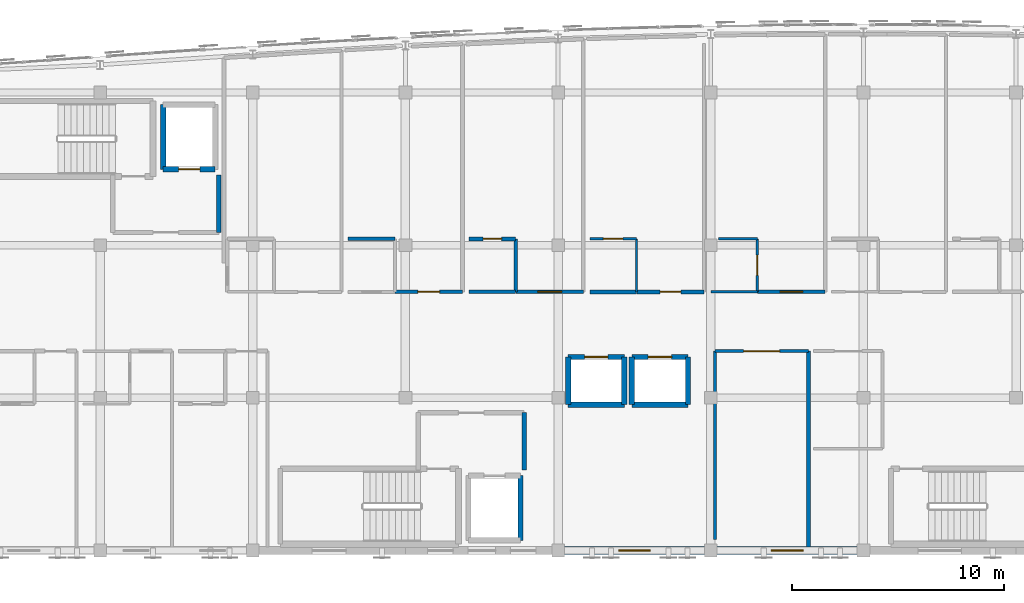
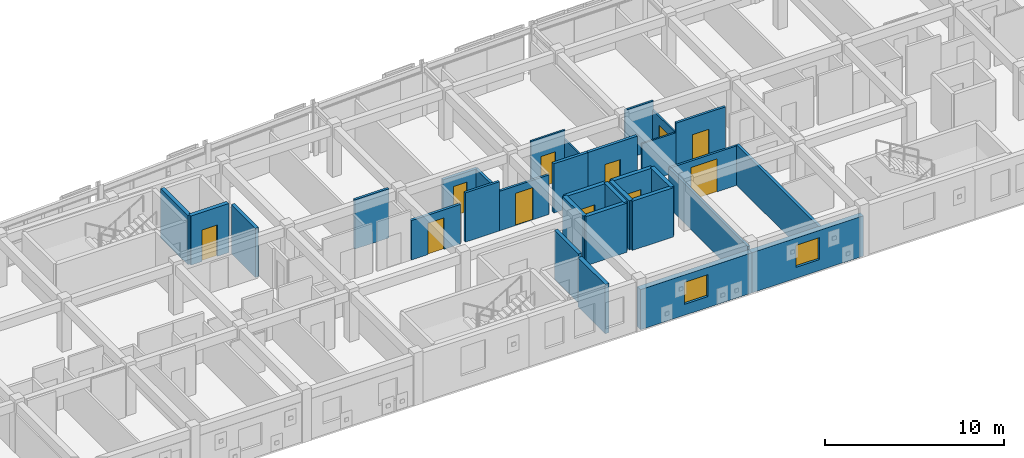
# One storey, part 41 of 51: 32 walls, 11 doors, 2 windows, 13 openings.
"""IFC4 building model written with IfcOpenShell, lengths in metres."""

from ifc_helpers import new_model, si_unit, direction, frame, frame_2d, origin, place, context, subcontext, project, spatial, rectangle, extrude, material, layer, layer_set, type_object, element, fill, save


model = new_model("IFC4")

# Units and contexts
model_context = context("Model", 3, precision=1e-05, world=origin(), true_north=direction((0.0, 1.0)))
body_context = subcontext(model_context, "Body", "Model", "MODEL_VIEW")
ifc_project = project(units=[si_unit("LENGTHUNIT", "METRE"), si_unit("AREAUNIT", "SQUARE_METRE"), si_unit("VOLUMEUNIT", "CUBIC_METRE"), si_unit("PLANEANGLEUNIT", "RADIAN"), si_unit("MASSUNIT", "GRAM", prefix="KILO")], contexts=[model_context])

# Site, building, storey
site_placement = place(None, origin())
site = spatial("IfcSite", under=ifc_project, at=site_placement, CompositionType="ELEMENT")
building_placement = place(site_placement, origin())
building = spatial("IfcBuilding", under=site, at=building_placement, Name="Carrowvane Square Congress Hotel", CompositionType="ELEMENT")
storey_placement = place(building_placement, frame((0.0, 0.0, 30.0)))
storey = spatial("IfcBuildingStorey", under=building, at=storey_placement, Name="L07", CompositionType="ELEMENT", Elevation=30.0)

# Wall, opening, window
ifc_material_1 = material(Name="Glazed terracotta rainscreen", Category="masonry")
ifc_layer_1 = layer(ifc_material_1, 0.360107421875)
ifc_layer_set_1 = layer_set([ifc_layer_1], Name="Glazed terracotta rainscreen")
wall_type_1 = type_object("IfcWallType", Name="WL-EXT-TC360", PredefinedType="STANDARD", material=ifc_layer_set_1)
wall_1_placement = place(storey_placement, frame((98.0, 91.800048828125, 0.0), z_axis=(0.0, 0.0, 1.0), x_axis=(-1.0, 0.0, 0.0)))
wall_1 = element("IfcWall", 1, at=wall_1_placement, inside=storey, type_object=wall_type_1, Name="L07 exterior facade wall 523", PredefinedType="STANDARD", context=body_context, shape_type="SweptSolid", body=[
    extrude(rectangle(XDim=7.199951171875, YDim=0.360107421875, at=frame_2d((3.60009765625, 0.0))), origin(), (0.0, 0.0, 1.0), 2.7451171875),
])
opening_1_placement = place(wall_1_placement, frame((2.85009765625, 0.0, 0.75)))
opening_1 = element("IfcOpeningElement", 2, at=opening_1_placement, cuts=wall_1, Name="Opening W-15", PredefinedType="OPENING", context=body_context, shape_type="SweptSolid", body=[
    extrude(rectangle(XDim=1.5, YDim=1.5, at=frame_2d((0.75, 0.75))), frame((0.0, 0.18994140625, 0.0), z_axis=(0.0, -1.0, 0.0), x_axis=(1.0, 0.0, 0.0)), (0.0, 0.0, 1.0), 0.380126953125),
])
ifc_material_2 = material(Name="Double-glazed low-E glass", Category="glass")
window_type = type_object("IfcWindowType", Name="WIN-15", PartitioningType="SINGLE_PANEL", PredefinedType="WINDOW", material=ifc_material_2)
window_1_placement = place(opening_1_placement, origin())
window_1 = element("IfcWindow", 3, at=window_1_placement, inside=storey, type_object=window_type, Name="L07 facade window 359", OverallHeight=1.5, OverallWidth=1.5, PartitioningType="SINGLE_PANEL", PredefinedType="WINDOW", context=body_context, shape_type="SweptSolid", body=[
    extrude(rectangle(XDim=1.5, YDim=1.5, at=frame_2d((0.75, 0.75))), frame((0.0, 0.030029296875, 0.0), z_axis=(0.0, -1.0, 0.0), x_axis=(1.0, 0.0, 0.0)), (0.0, 0.0, 1.0), 0.06005859375),
])
fill(opening_1, window_1)

wall_2_placement = place(storey_placement, frame((90.800048828125, 91.800048828125, 0.0), z_axis=(0.0, 0.0, 1.0), x_axis=(-1.0, 0.0, 0.0)))
wall_2 = element("IfcWall", 4, at=wall_2_placement, inside=storey, type_object=wall_type_1, Name="L07 exterior facade wall 524", PredefinedType="STANDARD", context=body_context, shape_type="SweptSolid", body=[
    extrude(rectangle(XDim=7.199951171875, YDim=0.360107421875, at=frame_2d((3.60009765625, 0.0))), origin(), (0.0, 0.0, 1.0), 2.7451171875),
])
opening_2_placement = place(wall_2_placement, frame((2.85009765625, 0.0, 0.75)))
opening_2 = element("IfcOpeningElement", 5, at=opening_2_placement, cuts=wall_2, Name="Opening W-15", PredefinedType="OPENING", context=body_context, shape_type="SweptSolid", body=[
    extrude(rectangle(XDim=1.5, YDim=1.5, at=frame_2d((0.75, 0.75))), frame((0.0, 0.18994140625, 0.0), z_axis=(0.0, -1.0, 0.0), x_axis=(1.0, 0.0, 0.0)), (0.0, 0.0, 1.0), 0.380126953125),
])
window_2_placement = place(opening_2_placement, origin())
window_2 = element("IfcWindow", 6, at=window_2_placement, inside=storey, type_object=window_type, Name="L07 facade window 360", OverallHeight=1.5, OverallWidth=1.5, PartitioningType="SINGLE_PANEL", PredefinedType="WINDOW", context=body_context, shape_type="SweptSolid", body=[
    extrude(rectangle(XDim=1.5, YDim=1.5, at=frame_2d((0.75, 0.75))), frame((0.0, 0.030029296875, 0.0), z_axis=(0.0, -1.0, 0.0), x_axis=(1.0, 0.0, 0.0)), (0.0, 0.0, 1.0), 0.06005859375),
])
fill(opening_2, window_2)

# Walls
ifc_material_3 = material(Name="Acoustic gypsum board", Category="gypsum")
ifc_layer_2 = layer(ifc_material_3, 0.155029296875)
ifc_layer_set_2 = layer_set([ifc_layer_2], Name="Acoustic gypsum board")
wall_type_2 = type_object("IfcWallType", Name="WL-FIR-155", PredefinedType="PARTITIONING", material=ifc_layer_set_2)
wall_3_placement = place(storey_placement, frame((73.699951171875, 106.5, 0.0), z_axis=(0.0, 0.0, 1.0), x_axis=(1.0, 0.0, 0.0)))
element("IfcWall", 7, at=wall_3_placement, inside=storey, type_object=wall_type_2, Name="L07 En-suite Bathroom 0714 partition", PredefinedType="PARTITIONING", context=body_context, shape_type="SweptSolid", body=[
    extrude(rectangle(XDim=2.199951171875, YDim=0.155029296875, at=frame_2d((1.10009765625, 0.0))), origin(), (0.0, 0.0, 1.0), 3.360107421875),
])
wall_4_placement = place(storey_placement, frame((81.60009765625, 104.0, 0.0), z_axis=(0.0, 0.0, 1.0), x_axis=(-1.0, 0.0, 0.0)))
element("IfcWall", 8, at=wall_4_placement, inside=storey, type_object=wall_type_2, Name="L07 En-suite Bathroom 0715 partition", PredefinedType="PARTITIONING", context=body_context, shape_type="SweptSolid", body=[
    extrude(rectangle(XDim=2.2001953125, YDim=0.155029296875, at=frame_2d((1.10009765625, 0.0))), origin(), (0.0, 0.0, 1.0), 3.360107421875),
])

# Wall, opening, door
wall_5_placement = place(storey_placement, frame((96.18994140625, 104.0, 0.0), z_axis=(0.0, 0.0, 1.0), x_axis=(-1.0, 0.0, 0.0)))
wall_5 = element("IfcWall", 9, at=wall_5_placement, inside=storey, type_object=wall_type_2, Name="L07 Parkview Suite 0717 partition", PredefinedType="PARTITIONING", context=body_context, shape_type="SweptSolid", body=[
    extrude(rectangle(XDim=3.179931640625, YDim=0.155029296875, at=frame_2d((1.58984375, 0.0))), origin(), (0.0, 0.0, 1.0), 3.360107421875),
])
opening_3_placement = place(wall_5_placement, frame((1.06005859375, 0.0, 0.0)))
opening_3 = element("IfcOpeningElement", 10, at=opening_3_placement, cuts=wall_5, Name="Opening FD-09", PredefinedType="OPENING", context=body_context, shape_type="SweptSolid", body=[
    extrude(rectangle(XDim=1.06005859375, YDim=2.199951171875, at=frame_2d((0.530029296875, 1.10009765625))), frame((0.0, 0.08740234375, 0.0), z_axis=(0.0, -1.0, 0.0), x_axis=(1.0, 0.0, 0.0)), (0.0, 0.0, 1.0), 0.175048828125),
])
ifc_material_4 = material(Name="European oak timber", Category="wood")
door_type_1 = type_object("IfcDoorType", Name="DR-FD30-1060x2200", OperationType="NOTDEFINED", PredefinedType="DOOR", material=ifc_material_4)
door_1_placement = place(opening_3_placement, origin())
door_1 = element("IfcDoor", 11, at=door_1_placement, inside=storey, type_object=door_type_1, Name="L07 Parkview Suite 0717 entrance door", OperationType="SINGLE_SWING_RIGHT", OverallHeight=2.199951171875, OverallWidth=1.06005859375, PredefinedType="DOOR", context=body_context, shape_type="SweptSolid", body=[
    extrude(rectangle(XDim=1.06005859375, YDim=2.199951171875, at=frame_2d((0.530029296875, 1.10009765625))), frame((0.0, 0.02490234375, 0.0), z_axis=(0.0, -1.0, 0.0), x_axis=(1.0, 0.0, 0.0)), (0.0, 0.0, 1.0), 0.050048828125),
])
fill(opening_3, door_1)

ifc_material_5 = material(Name="Acoustic gypsum board", Category="gypsum")
ifc_layer_3 = layer(ifc_material_5, 0.169921875)
ifc_layer_set_3 = layer_set([ifc_layer_3], Name="Acoustic gypsum board")
wall_type_3 = type_object("IfcWallType", Name="WL-FIR-170", PredefinedType="PARTITIONING", material=ifc_layer_set_3)
wall_6_placement = place(storey_placement, frame((79.090087890625, 104.0, 0.0), z_axis=(0.0, 0.0, 1.0), x_axis=(-1.0, 0.0, 0.0)))
wall_6 = element("IfcWall", 12, at=wall_6_placement, inside=storey, type_object=wall_type_3, Name="L07 Parkview Suite 0714 partition", PredefinedType="PARTITIONING", context=body_context, shape_type="SweptSolid", body=[
    extrude(rectangle(XDim=3.18017578125, YDim=0.169921875, at=frame_2d((1.590087890625, 0.0))), origin(), (0.0, 0.0, 1.0), 2.695068359375),
])
opening_4_placement = place(wall_6_placement, frame((1.080078125, 0.0, 0.0)))
opening_4 = element("IfcOpeningElement", 13, at=opening_4_placement, cuts=wall_6, Name="Opening FD-08", PredefinedType="OPENING", context=body_context, shape_type="SweptSolid", body=[
    extrude(rectangle(XDim=1.02001953125, YDim=2.14990234375, at=frame_2d((0.510009765625, 1.074951171875))), frame((0.0, 0.094970703125, 0.0), z_axis=(0.0, -1.0, 0.0), x_axis=(1.0, 0.0, 0.0)), (0.0, 0.0, 1.0), 0.18994140625),
])
ifc_material_6 = material(Name="European oak timber", Category="wood")
door_type_2 = type_object("IfcDoorType", Name="DR-FD30-1020x2150", OperationType="NOTDEFINED", PredefinedType="DOOR", material=ifc_material_6)
door_2_placement = place(opening_4_placement, origin())
door_2 = element("IfcDoor", 14, at=door_2_placement, inside=storey, type_object=door_type_2, Name="L07 Parkview Suite 0714 entrance door", OperationType="SINGLE_SWING_RIGHT", OverallHeight=2.14990234375, OverallWidth=1.02001953125, PredefinedType="DOOR", context=body_context, shape_type="SweptSolid", body=[
    extrude(rectangle(XDim=1.02001953125, YDim=2.14990234375, at=frame_2d((0.510009765625, 1.074951171875))), frame((0.0, 0.02490234375, 0.0), z_axis=(0.0, -1.0, 0.0), x_axis=(1.0, 0.0, 0.0)), (0.0, 0.0, 1.0), 0.050048828125),
])
fill(opening_4, door_2)

# Walls
wall_7_placement = place(storey_placement, frame((81.60009765625, 106.5, 0.0), z_axis=(0.0, 0.0, 1.0), x_axis=(0.0, -1.0, 0.0)))
element("IfcWall", 15, at=wall_7_placement, inside=storey, type_object=wall_type_3, Name="L07 En-suite Bathroom 0715 partition", PredefinedType="PARTITIONING", context=body_context, shape_type="SweptSolid", body=[
    extrude(rectangle(XDim=2.5, YDim=0.169921875, at=frame_2d((1.25, 0.0))), origin(), (0.0, 0.0, 1.0), 2.7451171875),
])
ifc_material_7 = material(Name="Acoustic gypsum board", Category="gypsum")
ifc_layer_4 = layer(ifc_material_7, 0.18505859375)
ifc_layer_set_4 = layer_set([ifc_layer_4], Name="Acoustic gypsum board")
wall_type_4 = type_object("IfcWallType", Name="WL-FIR-185", PredefinedType="PARTITIONING", material=ifc_layer_set_4)
wall_8_placement = place(storey_placement, frame((95.39990234375, 101.199951171875, 0.0), z_axis=(0.0, 0.0, 1.0), x_axis=(0.0, -1.0, 0.0)))
element("IfcWall", 16, at=wall_8_placement, inside=storey, type_object=wall_type_4, Name="L07 L07 Housekeeping Linen Pantry partition", PredefinedType="PARTITIONING", context=body_context, shape_type="SweptSolid", body=[
    extrude(rectangle(XDim=9.239990234375, YDim=0.18505859375, at=frame_2d((4.6201171875, 0.0))), origin(), (0.0, 0.0, 1.0), 2.7451171875),
])

# Wall, opening, door
wall_9_placement = place(storey_placement, frame((79.39990234375, 106.5, 0.0), z_axis=(0.0, 0.0, 1.0), x_axis=(1.0, 0.0, 0.0)))
wall_9 = element("IfcWall", 17, at=wall_9_placement, inside=storey, type_object=wall_type_4, Name="L07 En-suite Bathroom 0715 partition", PredefinedType="PARTITIONING", context=body_context, shape_type="SweptSolid", body=[
    extrude(rectangle(XDim=2.2001953125, YDim=0.18505859375, at=frame_2d((1.10009765625, 0.0))), origin(), (0.0, 0.0, 1.0), 2.7451171875),
])
opening_5_placement = place(wall_9_placement, frame((0.659912109375, 0.0, 0.0)))
opening_5 = element("IfcOpeningElement", 18, at=opening_5_placement, cuts=wall_9, Name="Opening ID-01", PredefinedType="OPENING", context=body_context, shape_type="SweptSolid", body=[
    extrude(rectangle(XDim=0.8798828125, YDim=2.06005859375, at=frame_2d((0.43994140625, 1.030029296875))), frame((0.0, 0.1025390625, 0.0), z_axis=(0.0, -1.0, 0.0), x_axis=(1.0, 0.0, 0.0)), (0.0, 0.0, 1.0), 0.205078125),
])
ifc_material_8 = material(Name="European oak timber", Category="wood")
door_type_3 = type_object("IfcDoorType", Name="DR-INT-0880x2060", OperationType="NOTDEFINED", PredefinedType="DOOR", material=ifc_material_8)
door_3_placement = place(opening_5_placement, origin())
door_3 = element("IfcDoor", 19, at=door_3_placement, inside=storey, type_object=door_type_3, Name="L07 En-suite Bathroom 0715 door", OperationType="SINGLE_SWING_LEFT", OverallHeight=2.06005859375, OverallWidth=0.8798828125, PredefinedType="DOOR", context=body_context, shape_type="SweptSolid", body=[
    extrude(rectangle(XDim=0.8798828125, YDim=2.06005859375, at=frame_2d((0.43994140625, 1.030029296875))), frame((0.0, 0.02490234375, 0.0), z_axis=(0.0, -1.0, 0.0), x_axis=(1.0, 0.0, 0.0)), (0.0, 0.0, 1.0), 0.050048828125),
])
fill(opening_5, door_3)

# Wall
wall_10_placement = place(storey_placement, frame((87.300048828125, 104.0, 0.0), z_axis=(0.0, 0.0, 1.0), x_axis=(-1.0, 0.0, 0.0)))
element("IfcWall", 20, at=wall_10_placement, inside=storey, type_object=wall_type_4, Name="L07 En-suite Bathroom 0716 partition", PredefinedType="PARTITIONING", context=body_context, shape_type="SweptSolid", body=[
    extrude(rectangle(XDim=2.199951171875, YDim=0.18505859375, at=frame_2d((1.10009765625, 0.0))), origin(), (0.0, 0.0, 1.0), 3.360107421875),
])

# Wall, opening, door
wall_11_placement = place(storey_placement, frame((90.489990234375, 104.0, 0.0), z_axis=(0.0, 0.0, 1.0), x_axis=(-1.0, 0.0, 0.0)))
wall_11 = element("IfcWall", 21, at=wall_11_placement, inside=storey, type_object=wall_type_4, Name="L07 Parkview Suite 0716 partition", PredefinedType="PARTITIONING", context=body_context, shape_type="SweptSolid", body=[
    extrude(rectangle(XDim=3.179931640625, YDim=0.18505859375, at=frame_2d((1.58984375, 0.0))), origin(), (0.0, 0.0, 1.0), 3.360107421875),
])
opening_6_placement = place(wall_11_placement, frame((1.10009765625, 0.0, 0.0)))
opening_6 = element("IfcOpeningElement", 22, at=opening_6_placement, cuts=wall_11, Name="Opening FD-07", PredefinedType="OPENING", context=body_context, shape_type="SweptSolid", body=[
    extrude(rectangle(XDim=0.97998046875, YDim=2.14990234375, at=frame_2d((0.489990234375, 1.074951171875))), frame((0.0, 0.1025390625, 0.0), z_axis=(0.0, -1.0, 0.0), x_axis=(1.0, 0.0, 0.0)), (0.0, 0.0, 1.0), 0.205078125),
])
ifc_material_9 = material(Name="European oak timber", Category="wood")
door_type_4 = type_object("IfcDoorType", Name="DR-FD30-0980x2150", OperationType="NOTDEFINED", PredefinedType="DOOR", material=ifc_material_9)
door_4_placement = place(opening_6_placement, origin())
door_4 = element("IfcDoor", 23, at=door_4_placement, inside=storey, type_object=door_type_4, Name="L07 Parkview Suite 0716 entrance door", OperationType="SINGLE_SWING_RIGHT", OverallHeight=2.14990234375, OverallWidth=0.97998046875, PredefinedType="DOOR", context=body_context, shape_type="SweptSolid", body=[
    extrude(rectangle(XDim=0.97998046875, YDim=2.14990234375, at=frame_2d((0.489990234375, 1.074951171875))), frame((0.0, 0.02490234375, 0.0), z_axis=(0.0, -1.0, 0.0), x_axis=(1.0, 0.0, 0.0)), (0.0, 0.0, 1.0), 0.050048828125),
])
fill(opening_6, door_4)

# Walls
ifc_material_10 = material(Name="Acoustic gypsum board", Category="gypsum")
ifc_layer_5 = layer(ifc_material_10, 0.205078125)
ifc_layer_set_5 = layer_set([ifc_layer_5], Name="Acoustic gypsum board")
wall_type_5 = type_object("IfcWallType", Name="WL-FIR-205", PredefinedType="PARTITIONING", material=ifc_layer_set_5)
for number, where, z_axis, x_axis, name in (
    (24, (67.60009765625, 106.800048828125, 0.0), (0.0, 0.0, 1.0), (0.0, 1.0, 0.0), "L07 Firefighting Lobby C1 wall east"),
    (25, (82.0, 95.60009765625, 0.0), (0.0, 0.0, 1.0), (0.0, 1.0, 0.0), "L07 Firefighting Lobby C2 wall east"),
):
    element("IfcWall", number, at=place(storey_placement, frame(where, z_axis=z_axis, x_axis=x_axis)), inside=storey, type_object=wall_type_5, Name=name, PredefinedType="PARTITIONING", context=body_context, shape_type="SweptSolid", body=[
        extrude(rectangle(XDim=2.699951171875, YDim=0.205078125, at=frame_2d((1.35009765625, 0.0))), origin(), (0.0, 0.0, 1.0), 3.360107421875),
    ])
ifc_material_11 = material(Name="Acoustic gypsum board", Category="gypsum")
ifc_layer_6 = layer(ifc_material_11, 0.097900390625)
ifc_layer_set_6 = layer_set([ifc_layer_6], Name="Acoustic gypsum board")
wall_type_6 = type_object("IfcWallType", Name="WL-PRT-098", PredefinedType="PARTITIONING", material=ifc_layer_set_6)
wall_12_placement = place(storey_placement, frame((87.300048828125, 106.5, 0.0), z_axis=(0.0, 0.0, 1.0), x_axis=(0.0, -1.0, 0.0)))
element("IfcWall", 26, at=wall_12_placement, inside=storey, type_object=wall_type_6, Name="L07 En-suite Bathroom 0716 partition", PredefinedType="PARTITIONING", context=body_context, shape_type="SweptSolid", body=[
    extrude(rectangle(XDim=2.5, YDim=0.097900390625, at=frame_2d((1.25, 0.0))), origin(), (0.0, 0.0, 1.0), 2.7451171875),
])

# Wall, opening, door
ifc_material_12 = material(Name="Acoustic gypsum board", Category="gypsum")
ifc_layer_7 = layer(ifc_material_12, 0.10791015625)
ifc_layer_set_7 = layer_set([ifc_layer_7], Name="Acoustic gypsum board")
wall_type_7 = type_object("IfcWallType", Name="WL-PRT-108", PredefinedType="PARTITIONING", material=ifc_layer_set_7)
wall_13_placement = place(storey_placement, frame((85.10009765625, 106.5, 0.0), z_axis=(0.0, 0.0, 1.0), x_axis=(1.0, 0.0, 0.0)))
wall_13 = element("IfcWall", 27, at=wall_13_placement, inside=storey, type_object=wall_type_7, Name="L07 En-suite Bathroom 0716 partition", PredefinedType="PARTITIONING", context=body_context, shape_type="SweptSolid", body=[
    extrude(rectangle(XDim=2.199951171875, YDim=0.10791015625, at=frame_2d((1.10009765625, 0.0))), origin(), (0.0, 0.0, 1.0), 3.360107421875),
])
opening_7_placement = place(wall_13_placement, frame((0.639892578125, 0.0, 0.0)))
opening_7 = element("IfcOpeningElement", 28, at=opening_7_placement, cuts=wall_13, Name="Opening ID-03", PredefinedType="OPENING", context=body_context, shape_type="SweptSolid", body=[
    extrude(rectangle(XDim=0.919921875, YDim=2.10009765625, at=frame_2d((0.4599609375, 1.050048828125))), frame((0.0, 0.06396484375, 0.0), z_axis=(0.0, -1.0, 0.0), x_axis=(1.0, 0.0, 0.0)), (0.0, 0.0, 1.0), 0.1279296875),
])
ifc_material_13 = material(Name="European oak timber", Category="wood")
door_type_5 = type_object("IfcDoorType", Name="DR-INT-0920x2100", OperationType="NOTDEFINED", PredefinedType="DOOR", material=ifc_material_13)
door_5_placement = place(opening_7_placement, origin())
door_5 = element("IfcDoor", 29, at=door_5_placement, inside=storey, type_object=door_type_5, Name="L07 En-suite Bathroom 0716 door", OperationType="SINGLE_SWING_LEFT", OverallHeight=2.10009765625, OverallWidth=0.919921875, PredefinedType="DOOR", context=body_context, shape_type="SweptSolid", body=[
    extrude(rectangle(XDim=0.919921875, YDim=2.10009765625, at=frame_2d((0.4599609375, 1.050048828125))), frame((0.0, 0.02490234375, 0.0), z_axis=(0.0, -1.0, 0.0), x_axis=(1.0, 0.0, 0.0)), (0.0, 0.0, 1.0), 0.050048828125),
])
fill(opening_7, door_5)

# Wall
wall_14_placement = place(storey_placement, frame((93.0, 104.0, 0.0), z_axis=(0.0, 0.0, 1.0), x_axis=(-1.0, 0.0, 0.0)))
element("IfcWall", 30, at=wall_14_placement, inside=storey, type_object=wall_type_7, Name="L07 En-suite Bathroom 0717 partition", PredefinedType="PARTITIONING", context=body_context, shape_type="SweptSolid", body=[
    extrude(rectangle(XDim=2.199951171875, YDim=0.10791015625, at=frame_2d((1.10009765625, 0.0))), origin(), (0.0, 0.0, 1.0), 2.695068359375),
])

# Wall, opening, door
ifc_material_14 = material(Name="Acoustic gypsum board", Category="gypsum")
ifc_layer_8 = layer(ifc_material_14, 0.117919921875)
ifc_layer_set_8 = layer_set([ifc_layer_8], Name="Acoustic gypsum board")
wall_type_8 = type_object("IfcWallType", Name="WL-PRT-118", PredefinedType="PARTITIONING", material=ifc_layer_set_8)
wall_15_placement = place(storey_placement, frame((93.0, 106.5, 0.0), z_axis=(0.0, 0.0, 1.0), x_axis=(0.0, -1.0, 0.0)))
wall_15 = element("IfcWall", 31, at=wall_15_placement, inside=storey, type_object=wall_type_8, Name="L07 En-suite Bathroom 0717 partition", PredefinedType="PARTITIONING", context=body_context, shape_type="SweptSolid", body=[
    extrude(rectangle(XDim=2.5, YDim=0.117919921875, at=frame_2d((1.25, 0.0))), origin(), (0.0, 0.0, 1.0), 2.7451171875),
])
opening_8_placement = place(wall_15_placement, frame((0.77001953125, 0.0, 0.0)))
opening_8 = element("IfcOpeningElement", 32, at=opening_8_placement, cuts=wall_15, Name="Opening ID-05", PredefinedType="OPENING", context=body_context, shape_type="SweptSolid", body=[
    extrude(rectangle(XDim=0.9599609375, YDim=2.139892578125, at=frame_2d((0.47998046875, 1.06982421875))), frame((0.0, 0.06884765625, 0.0), z_axis=(0.0, -1.0, 0.0), x_axis=(1.0, 0.0, 0.0)), (0.0, 0.0, 1.0), 0.137939453125),
])
ifc_material_15 = material(Name="European oak timber", Category="wood")
door_type_6 = type_object("IfcDoorType", Name="DR-INT-0960x2140", OperationType="NOTDEFINED", PredefinedType="DOOR", material=ifc_material_15)
door_6_placement = place(opening_8_placement, origin())
door_6 = element("IfcDoor", 33, at=door_6_placement, inside=storey, type_object=door_type_6, Name="L07 En-suite Bathroom 0717 door", OperationType="SINGLE_SWING_LEFT", OverallHeight=2.139892578125, OverallWidth=0.9599609375, PredefinedType="DOOR", context=body_context, shape_type="SweptSolid", body=[
    extrude(rectangle(XDim=0.9599609375, YDim=2.139892578125, at=frame_2d((0.47998046875, 1.06982421875))), frame((0.0, 0.02490234375, 0.0), z_axis=(0.0, -1.0, 0.0), x_axis=(1.0, 0.0, 0.0)), (0.0, 0.0, 1.0), 0.050048828125),
])
fill(opening_8, door_6)

# Wall
ifc_material_16 = material(Name="Acoustic gypsum board", Category="gypsum")
ifc_layer_9 = layer(ifc_material_16, 0.1279296875)
ifc_layer_set_9 = layer_set([ifc_layer_9], Name="Acoustic gypsum board")
wall_type_9 = type_object("IfcWallType", Name="WL-PRT-128", PredefinedType="PARTITIONING", material=ifc_layer_set_9)
wall_16_placement = place(storey_placement, frame((91.159912109375, 106.5, 0.0), z_axis=(0.0, 0.0, 1.0), x_axis=(1.0, 0.0, 0.0)))
element("IfcWall", 34, at=wall_16_placement, inside=storey, type_object=wall_type_9, Name="L07 En-suite Bathroom 0717 partition", PredefinedType="PARTITIONING", context=body_context, shape_type="SweptSolid", body=[
    extrude(rectangle(XDim=1.840087890625, YDim=0.1279296875, at=frame_2d((0.919921875, 0.0))), origin(), (0.0, 0.0, 1.0), 3.360107421875),
])

# Wall, opening, door
ifc_material_17 = material(Name="Acoustic gypsum board", Category="gypsum")
ifc_layer_10 = layer(ifc_material_17, 0.137939453125)
ifc_layer_set_10 = layer_set([ifc_layer_10], Name="Acoustic gypsum board")
wall_type_10 = type_object("IfcWallType", Name="WL-PRT-138", PredefinedType="PARTITIONING", material=ifc_layer_set_10)
wall_17_placement = place(storey_placement, frame((91.0, 101.199951171875, 0.0), z_axis=(0.0, 0.0, 1.0), x_axis=(1.0, 0.0, 0.0)))
wall_17 = element("IfcWall", 35, at=wall_17_placement, inside=storey, type_object=wall_type_10, Name="L07 L07 Housekeeping Linen Pantry partition", PredefinedType="PARTITIONING", context=body_context, shape_type="SweptSolid", body=[
    extrude(rectangle(XDim=4.39990234375, YDim=0.137939453125, at=frame_2d((2.199951171875, 0.0))), origin(), (0.0, 0.0, 1.0), 2.695068359375),
])
opening_9_placement = place(wall_17_placement, frame((1.35009765625, 0.0, 0.0)))
opening_9 = element("IfcOpeningElement", 36, at=opening_9_placement, cuts=wall_17, Name="Opening FD-12", PredefinedType="OPENING", context=body_context, shape_type="SweptSolid", body=[
    extrude(rectangle(XDim=1.699951171875, YDim=2.25, at=frame_2d((0.85009765625, 1.125))), frame((0.0, 0.078857421875, 0.0), z_axis=(0.0, -1.0, 0.0), x_axis=(1.0, 0.0, 0.0)), (0.0, 0.0, 1.0), 0.157958984375),
])
ifc_material_18 = material(Name="European oak timber", Category="wood")
door_type_7 = type_object("IfcDoorType", Name="DR-FD30-1700x2250", OperationType="DOUBLE_DOOR_SINGLE_SWING", PredefinedType="DOOR", material=ifc_material_18)
door_7_placement = place(opening_9_placement, origin())
door_7 = element("IfcDoor", 37, at=door_7_placement, inside=storey, type_object=door_type_7, Name="L07 L07 Housekeeping Linen Pantry entrance door", OperationType="DOUBLE_DOOR_SINGLE_SWING", OverallHeight=2.25, OverallWidth=1.699951171875, PredefinedType="DOOR", context=body_context, shape_type="SweptSolid", body=[
    extrude(rectangle(XDim=1.699951171875, YDim=2.25, at=frame_2d((0.85009765625, 1.125))), frame((0.0, 0.02490234375, 0.0), z_axis=(0.0, -1.0, 0.0), x_axis=(1.0, 0.0, 0.0)), (0.0, 0.0, 1.0), 0.050048828125),
])
fill(opening_9, door_7)

# Wall
ifc_material_19 = material(Name="Acoustic gypsum board", Category="gypsum")
ifc_layer_11 = layer(ifc_material_19, 0.14794921875)
ifc_layer_set_11 = layer_set([ifc_layer_11], Name="Acoustic gypsum board")
wall_type_11 = type_object("IfcWallType", Name="WL-PRT-148", PredefinedType="PARTITIONING", material=ifc_layer_set_11)
wall_18_placement = place(storey_placement, frame((91.0, 92.320068359375, 0.0), z_axis=(0.0, 0.0, 1.0), x_axis=(0.0, 1.0, 0.0)))
element("IfcWall", 38, at=wall_18_placement, inside=storey, type_object=wall_type_11, Name="L07 L07 Housekeeping Linen Pantry partition", PredefinedType="PARTITIONING", context=body_context, shape_type="SweptSolid", body=[
    extrude(rectangle(XDim=8.8798828125, YDim=0.14794921875, at=frame_2d((4.43994140625, 0.0))), origin(), (0.0, 0.0, 1.0), 2.695068359375),
])

# Wall, opening, door
wall_19_placement = place(storey_placement, frame((84.7900390625, 104.0, 0.0), z_axis=(0.0, 0.0, 1.0), x_axis=(-1.0, 0.0, 0.0)))
wall_19 = element("IfcWall", 39, at=wall_19_placement, inside=storey, type_object=wall_type_11, Name="L07 Parkview Suite 0715 partition", PredefinedType="PARTITIONING", context=body_context, shape_type="SweptSolid", body=[
    extrude(rectangle(XDim=3.179931640625, YDim=0.14794921875, at=frame_2d((1.58984375, 0.0))), origin(), (0.0, 0.0, 1.0), 2.695068359375),
])
opening_10_placement = place(wall_19_placement, frame((1.030029296875, 0.0, 0.0)))
opening_10 = element("IfcOpeningElement", 40, at=opening_10_placement, cuts=wall_19, Name="Opening FD-10", PredefinedType="OPENING", context=body_context, shape_type="SweptSolid", body=[
    extrude(rectangle(XDim=1.1201171875, YDim=2.199951171875, at=frame_2d((0.56005859375, 1.10009765625))), frame((0.0, 0.083984375, 0.0), z_axis=(0.0, -1.0, 0.0), x_axis=(1.0, 0.0, 0.0)), (0.0, 0.0, 1.0), 0.16796875),
])
ifc_material_20 = material(Name="European oak timber", Category="wood")
door_type_8 = type_object("IfcDoorType", Name="DR-FD30-1120x2200", OperationType="NOTDEFINED", PredefinedType="DOOR", material=ifc_material_20)
door_8_placement = place(opening_10_placement, origin())
door_8 = element("IfcDoor", 41, at=door_8_placement, inside=storey, type_object=door_type_8, Name="L07 Parkview Suite 0715 entrance door", OperationType="SINGLE_SWING_RIGHT", OverallHeight=2.199951171875, OverallWidth=1.1201171875, PredefinedType="DOOR", context=body_context, shape_type="SweptSolid", body=[
    extrude(rectangle(XDim=1.1201171875, YDim=2.199951171875, at=frame_2d((0.56005859375, 1.10009765625))), frame((0.0, 0.02490234375, 0.0), z_axis=(0.0, -1.0, 0.0), x_axis=(1.0, 0.0, 0.0)), (0.0, 0.0, 1.0), 0.050048828125),
])
fill(opening_10, door_8)

ifc_material_21 = material(Name="Concrete C40/50", Category="concrete")
ifc_layer_12 = layer(ifc_material_21, 0.25)
ifc_layer_set_12 = layer_set([ifc_layer_12], Name="Concrete C40/50")
wall_type_12 = type_object("IfcWallType", Name="WL-SHR-250", PredefinedType="SHEAR", material=ifc_layer_set_12)
wall_20_placement = place(storey_placement, frame((64.97509765625, 109.77490234375, 0.0), z_axis=(0.0, 0.0, 1.0), x_axis=(1.0, 0.0, 0.0)))
wall_20 = element("IfcWall", 42, at=wall_20_placement, inside=storey, type_object=wall_type_12, Name="L07 FFL-1 shaft wall south", PredefinedType="SHEAR", context=body_context, shape_type="SweptSolid", body=[
    extrude(rectangle(XDim=2.449951171875, YDim=0.25, at=frame_2d((1.22509765625, 0.0))), origin(), (0.0, 0.0, 1.0), 3.360107421875),
])
opening_11_placement = place(wall_20_placement, frame((0.72509765625, 0.0, 0.0)))
opening_11 = element("IfcOpeningElement", 43, at=opening_11_placement, cuts=wall_20, Name="Opening LD-FFL-1", PredefinedType="OPENING", context=body_context, shape_type="SweptSolid", body=[
    extrude(rectangle(XDim=1.0, YDim=2.14990234375, at=frame_2d((0.5, 1.074951171875))), frame((0.0, 0.135009765625, 0.0), z_axis=(0.0, -1.0, 0.0), x_axis=(1.0, 0.0, 0.0)), (0.0, 0.0, 1.0), 0.27001953125),
])
ifc_material_22 = material(Name="Stainless steel 316", Category="steel")
door_type_9 = type_object("IfcDoorType", Name="DR-LD-1000x2150", OperationType="DOUBLE_DOOR_SLIDING", PredefinedType="DOOR", material=ifc_material_22)
door_9_placement = place(opening_11_placement, origin())
door_9 = element("IfcDoor", 44, at=door_9_placement, inside=storey, type_object=door_type_9, Name="L07 FFL-1 sliding lift landing door", OperationType="DOUBLE_DOOR_SLIDING", OverallHeight=2.14990234375, OverallWidth=1.0, PredefinedType="DOOR", context=body_context, shape_type="SweptSolid", body=[
    extrude(rectangle(XDim=1.0, YDim=2.14990234375, at=frame_2d((0.5, 1.074951171875))), frame((0.0, 0.02490234375, 0.0), z_axis=(0.0, -1.0, 0.0), x_axis=(1.0, 0.0, 0.0)), (0.0, 0.0, 1.0), 0.050048828125),
])
fill(opening_11, door_9)

# Walls
for number, where, z_axis, x_axis, name in (
    (45, (64.97509765625, 112.824951171875, 0.0), (0.0, 0.0, 1.0), (0.0, -1.0, 0.0), "L07 FFL-1 shaft wall west"),
    (46, (81.824951171875, 92.27490234375, 0.0), (0.0, 0.0, 1.0), (0.0, 1.0, 0.0), "L07 FFL-2 shaft wall east"),
):
    element("IfcWall", number, at=place(storey_placement, frame(where, z_axis=z_axis, x_axis=x_axis)), inside=storey, type_object=wall_type_12, Name=name, PredefinedType="SHEAR", context=body_context, shape_type="SweptSolid", body=[
        extrude(rectangle(XDim=3.050048828125, YDim=0.25, at=frame_2d((1.52490234375, 0.0))), origin(), (0.0, 0.0, 1.0), 3.360107421875),
    ])
wall_21_placement = place(storey_placement, frame((84.074951171875, 98.675048828125, 0.0), z_axis=(0.0, 0.0, 1.0), x_axis=(1.0, 0.0, 0.0)))
element("IfcWall", 47, at=wall_21_placement, inside=storey, type_object=wall_type_12, Name="L07 HL-1 shaft wall south", PredefinedType="SHEAR", context=body_context, shape_type="SweptSolid", body=[
    extrude(rectangle(XDim=2.650146484375, YDim=0.25, at=frame_2d((1.3251953125, 0.0))), origin(), (0.0, 0.0, 1.0), 3.360107421875),
])
wall_22_placement = place(storey_placement, frame((86.72509765625, 98.675048828125, 0.0), z_axis=(0.0, 0.0, 1.0), x_axis=(0.0, 1.0, 0.0)))
element("IfcWall", 48, at=wall_22_placement, inside=storey, type_object=wall_type_12, Name="L07 HL-1 shaft wall east", PredefinedType="SHEAR", context=body_context, shape_type="SweptSolid", body=[
    extrude(rectangle(XDim=2.25, YDim=0.25, at=frame_2d((1.125, 0.0))), origin(), (0.0, 0.0, 1.0), 3.360107421875),
])

# Wall, opening, door
wall_23_placement = place(storey_placement, frame((86.72509765625, 100.925048828125, 0.0), z_axis=(0.0, 0.0, 1.0), x_axis=(-1.0, 0.0, 0.0)))
wall_23 = element("IfcWall", 49, at=wall_23_placement, inside=storey, type_object=wall_type_12, Name="L07 HL-1 shaft wall north", PredefinedType="SHEAR", context=body_context, shape_type="SweptSolid", body=[
    extrude(rectangle(XDim=2.650146484375, YDim=0.25, at=frame_2d((1.3251953125, 0.0))), origin(), (0.0, 0.0, 1.0), 3.360107421875),
])
opening_12_placement = place(wall_23_placement, frame((0.77490234375, 0.0, 0.0)))
opening_12 = element("IfcOpeningElement", 50, at=opening_12_placement, cuts=wall_23, Name="Opening LD-HL-1", PredefinedType="OPENING", context=body_context, shape_type="SweptSolid", body=[
    extrude(rectangle(XDim=1.10009765625, YDim=2.14990234375, at=frame_2d((0.550048828125, 1.074951171875))), frame((0.0, 0.135009765625, 0.0), z_axis=(0.0, -1.0, 0.0), x_axis=(1.0, 0.0, 0.0)), (0.0, 0.0, 1.0), 0.27001953125),
])
ifc_material_23 = material(Name="Stainless steel 316", Category="steel")
door_type_10 = type_object("IfcDoorType", Name="DR-LD-1100x2150", OperationType="DOUBLE_DOOR_SLIDING", PredefinedType="DOOR", material=ifc_material_23)
door_10_placement = place(opening_12_placement, origin())
door_10 = element("IfcDoor", 51, at=door_10_placement, inside=storey, type_object=door_type_10, Name="L07 HL-1 sliding lift landing door", OperationType="DOUBLE_DOOR_SLIDING", OverallHeight=2.14990234375, OverallWidth=1.10009765625, PredefinedType="DOOR", context=body_context, shape_type="SweptSolid", body=[
    extrude(rectangle(XDim=1.10009765625, YDim=2.14990234375, at=frame_2d((0.550048828125, 1.074951171875))), frame((0.0, 0.02490234375, 0.0), z_axis=(0.0, -1.0, 0.0), x_axis=(1.0, 0.0, 0.0)), (0.0, 0.0, 1.0), 0.050048828125),
])
fill(opening_12, door_10)

# Walls
wall_24_placement = place(storey_placement, frame((84.074951171875, 100.925048828125, 0.0), z_axis=(0.0, 0.0, 1.0), x_axis=(0.0, -1.0, 0.0)))
element("IfcWall", 52, at=wall_24_placement, inside=storey, type_object=wall_type_12, Name="L07 HL-1 shaft wall west", PredefinedType="SHEAR", context=body_context, shape_type="SweptSolid", body=[
    extrude(rectangle(XDim=2.25, YDim=0.25, at=frame_2d((1.125, 0.0))), origin(), (0.0, 0.0, 1.0), 3.360107421875),
])
wall_25_placement = place(storey_placement, frame((87.074951171875, 98.675048828125, 0.0), z_axis=(0.0, 0.0, 1.0), x_axis=(1.0, 0.0, 0.0)))
element("IfcWall", 53, at=wall_25_placement, inside=storey, type_object=wall_type_12, Name="L07 HL-2 shaft wall south", PredefinedType="SHEAR", context=body_context, shape_type="SweptSolid", body=[
    extrude(rectangle(XDim=2.650146484375, YDim=0.25, at=frame_2d((1.3251953125, 0.0))), origin(), (0.0, 0.0, 1.0), 3.360107421875),
])
wall_26_placement = place(storey_placement, frame((89.72509765625, 98.675048828125, 0.0), z_axis=(0.0, 0.0, 1.0), x_axis=(0.0, 1.0, 0.0)))
element("IfcWall", 54, at=wall_26_placement, inside=storey, type_object=wall_type_12, Name="L07 HL-2 shaft wall east", PredefinedType="SHEAR", context=body_context, shape_type="SweptSolid", body=[
    extrude(rectangle(XDim=2.25, YDim=0.25, at=frame_2d((1.125, 0.0))), origin(), (0.0, 0.0, 1.0), 3.360107421875),
])

# Wall, opening, door
wall_27_placement = place(storey_placement, frame((89.72509765625, 100.925048828125, 0.0), z_axis=(0.0, 0.0, 1.0), x_axis=(-1.0, 0.0, 0.0)))
wall_27 = element("IfcWall", 55, at=wall_27_placement, inside=storey, type_object=wall_type_12, Name="L07 HL-2 shaft wall north", PredefinedType="SHEAR", context=body_context, shape_type="SweptSolid", body=[
    extrude(rectangle(XDim=2.650146484375, YDim=0.25, at=frame_2d((1.3251953125, 0.0))), origin(), (0.0, 0.0, 1.0), 3.360107421875),
])
opening_13_placement = place(wall_27_placement, frame((0.77490234375, 0.0, 0.0)))
opening_13 = element("IfcOpeningElement", 56, at=opening_13_placement, cuts=wall_27, Name="Opening LD-HL-2", PredefinedType="OPENING", context=body_context, shape_type="SweptSolid", body=[
    extrude(rectangle(XDim=1.10009765625, YDim=2.14990234375, at=frame_2d((0.550048828125, 1.074951171875))), frame((0.0, 0.135009765625, 0.0), z_axis=(0.0, -1.0, 0.0), x_axis=(1.0, 0.0, 0.0)), (0.0, 0.0, 1.0), 0.27001953125),
])
door_11_placement = place(opening_13_placement, origin())
door_11 = element("IfcDoor", 57, at=door_11_placement, inside=storey, type_object=door_type_10, Name="L07 HL-2 sliding lift landing door", OperationType="DOUBLE_DOOR_SLIDING", OverallHeight=2.14990234375, OverallWidth=1.10009765625, PredefinedType="DOOR", context=body_context, shape_type="SweptSolid", body=[
    extrude(rectangle(XDim=1.10009765625, YDim=2.14990234375, at=frame_2d((0.550048828125, 1.074951171875))), frame((0.0, 0.02490234375, 0.0), z_axis=(0.0, -1.0, 0.0), x_axis=(1.0, 0.0, 0.0)), (0.0, 0.0, 1.0), 0.050048828125),
])
fill(opening_13, door_11)

# Wall
wall_28_placement = place(storey_placement, frame((87.074951171875, 100.925048828125, 0.0), z_axis=(0.0, 0.0, 1.0), x_axis=(0.0, -1.0, 0.0)))
element("IfcWall", 58, at=wall_28_placement, inside=storey, type_object=wall_type_12, Name="L07 HL-2 shaft wall west", PredefinedType="SHEAR", context=body_context, shape_type="SweptSolid", body=[
    extrude(rectangle(XDim=2.25, YDim=0.25, at=frame_2d((1.125, 0.0))), origin(), (0.0, 0.0, 1.0), 3.360107421875),
])

save(model, "model.ifc")
